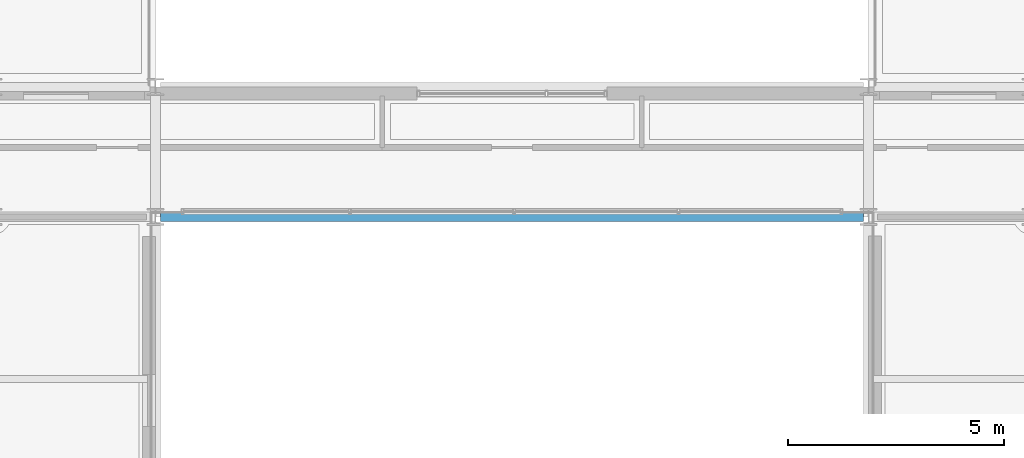
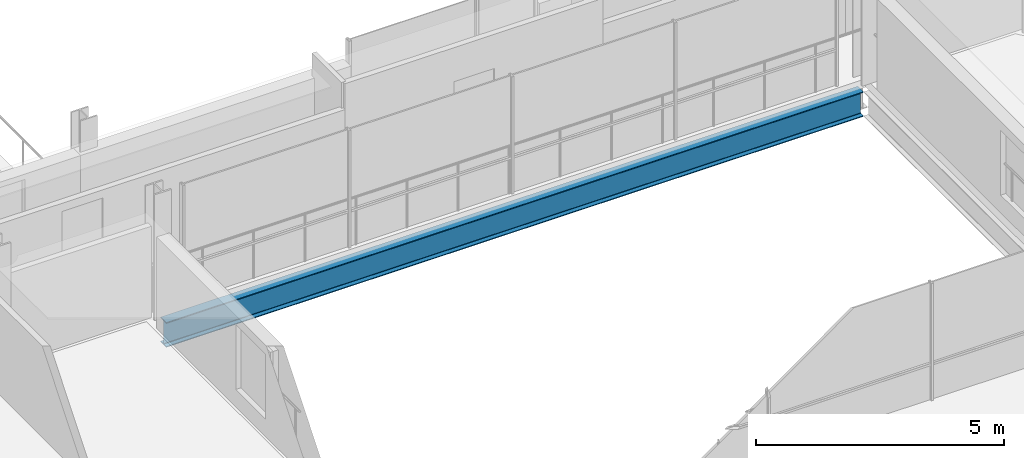
# One storey, part 10 of 38: 1 beam.
"""IFC4 building model written with IfcOpenShell, lengths in metres."""

from ifc_helpers import new_model, si_unit, direction, frame, origin, origin_2d, place, context, subcontext, project, spatial, i_section, extrude, material, material_profile, profile_set, type_object, element, save


model = new_model("IFC4")

# Units and contexts
model_context = context("Model", 3, precision=1e-05, world=origin(), true_north=direction((0.0, 1.0)))
body_context = subcontext(model_context, "Body", "Model", "MODEL_VIEW")
ifc_project = project(units=[si_unit("LENGTHUNIT", "METRE"), si_unit("AREAUNIT", "SQUARE_METRE"), si_unit("VOLUMEUNIT", "CUBIC_METRE"), si_unit("PLANEANGLEUNIT", "RADIAN"), si_unit("MASSUNIT", "GRAM", prefix="KILO")], contexts=[model_context])

# Site, building, storey
site_placement = place(None, origin())
site = spatial("IfcSite", under=ifc_project, at=site_placement, CompositionType="ELEMENT")
building_placement = place(site_placement, origin())
building = spatial("IfcBuilding", under=site, at=building_placement, Name="Brevholm Reach", CompositionType="ELEMENT")
storey_placement = place(building_placement, frame((0.0, 0.0, 172.800048828125)))
storey = spatial("IfcBuildingStorey", under=building, at=storey_placement, Name="L52", CompositionType="ELEMENT", Elevation=172.800048828125)

# Beam
ifc_material = material(Name="Structural Steel S355J2", Category="steel")
ifc_material_profile = material_profile(ifc_material, i_section(OverallWidth=0.22900390625, OverallDepth=0.6123046875, WebThickness=0.011962890625, FlangeThickness=0.01953125, FilletRadius=0.0126953125, at=origin_2d()), Name="UKB 610x229x125")
ifc_profile_set = profile_set([ifc_material_profile], Name="Structural Steel S355J2")
beam_type = type_object("IfcBeamType", Name="BM-SP610", PredefinedType="SPANDREL", material=ifc_profile_set)
beam_placement = place(storey_placement, frame((21.8701171875, 23.5, -0.51611328125), z_axis=(1.0, 0.0, 0.0), x_axis=(0.0, 1.0, 0.0)))
element("IfcBeam", 1, at=beam_placement, inside=storey, type_object=beam_type, Name="L52 SP-01 Framing Beam", PredefinedType="SPANDREL", context=body_context, shape_type="SweptSolid", body=[
    extrude(i_section(OverallWidth=0.22900390625, OverallDepth=0.6123046875, WebThickness=0.011962890625, FlangeThickness=0.01953125, FilletRadius=0.0126953125, at=origin_2d()), origin(), (0.0, 0.0, 1.0), 16.259765625),
])

save(model, "model.ifc")
